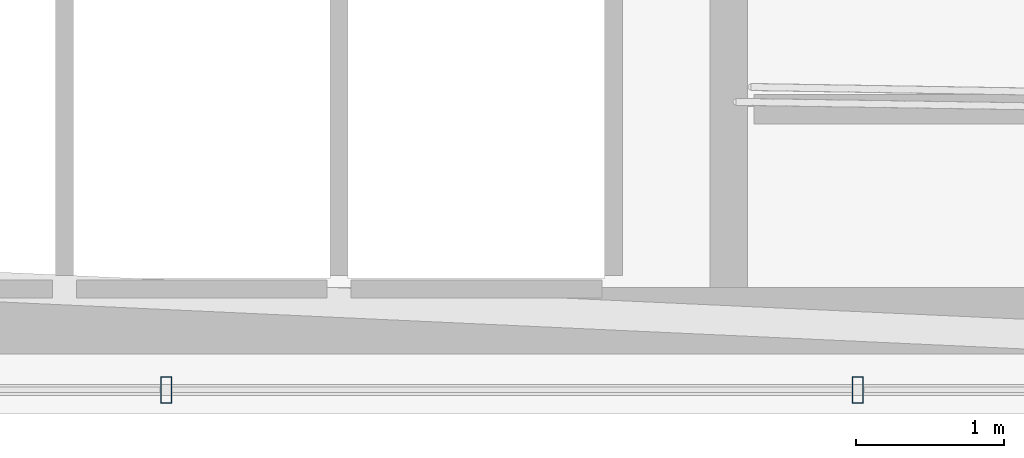
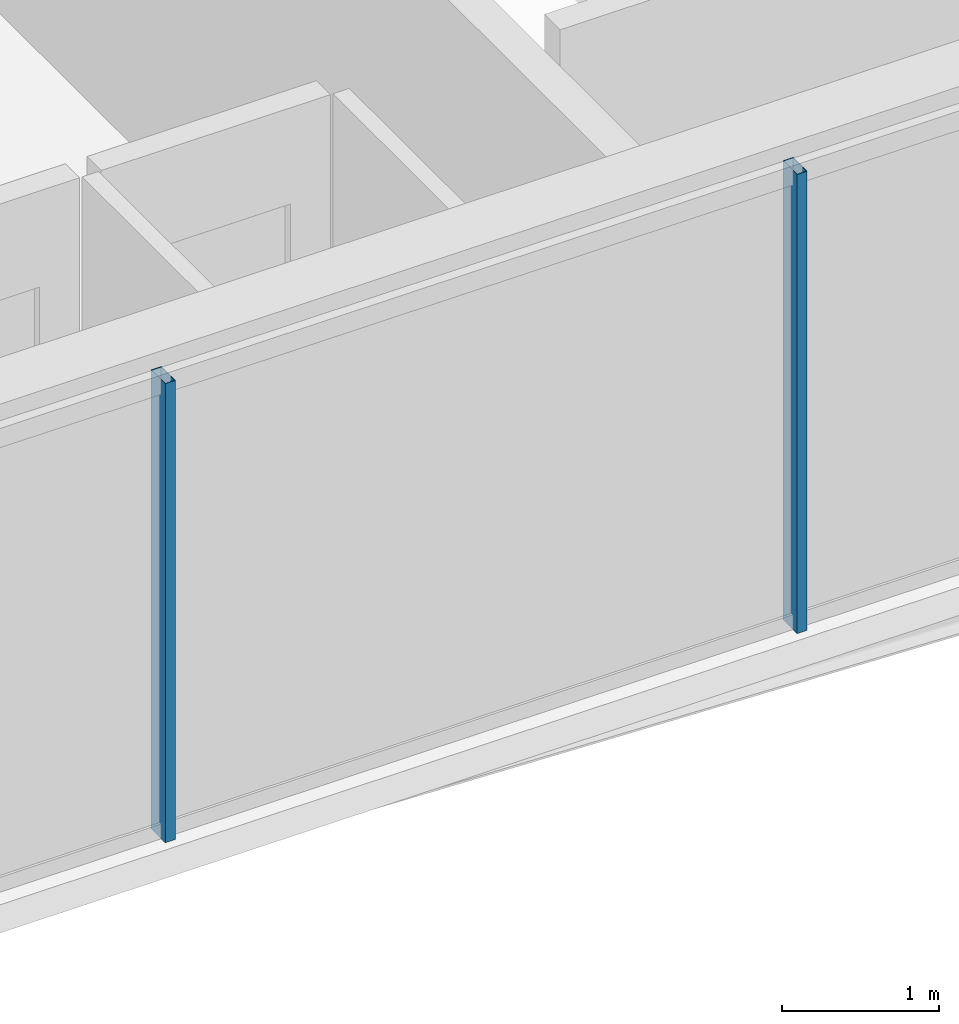
# One storey, part 7 of 33: 2 members, 1 element without a shape of its own.
"""IFC4 building model written with IfcOpenShell, lengths in metres."""

from ifc_helpers import new_model, si_unit, direction, frame, origin, origin_2d, place, context, subcontext, project, spatial, hollow_rectangle, extrude, material, layer, layer_set, material_profile, profile_set, type_object, element, aggregate, save


model = new_model("IFC4")

# Units and contexts
model_context = context("Model", 3, precision=1e-05, world=origin(), true_north=direction((0.0, 1.0)))
body_context = subcontext(model_context, "Body", "Model", "MODEL_VIEW")
ifc_project = project(units=[si_unit("LENGTHUNIT", "METRE"), si_unit("AREAUNIT", "SQUARE_METRE"), si_unit("VOLUMEUNIT", "CUBIC_METRE"), si_unit("PLANEANGLEUNIT", "RADIAN"), si_unit("MASSUNIT", "GRAM", prefix="KILO")], contexts=[model_context])

# Site, building, storey
site_placement = place(None, origin())
site = spatial("IfcSite", under=ifc_project, at=site_placement, CompositionType="ELEMENT")
building_placement = place(site_placement, origin())
building = spatial("IfcBuilding", under=site, at=building_placement, Name="Ndaravel Arena Tower", CompositionType="ELEMENT")
storey_placement = place(building_placement, frame((0.0, 0.0, 89.199951171875)))
storey = spatial("IfcBuildingStorey", under=building, at=storey_placement, Name="L20", CompositionType="ELEMENT", Elevation=89.199951171875)

# Curtain wall, members
ifc_material_1 = material(Name="Aluminium", Category="aluminium")
ifc_layer = layer(ifc_material_1, 0.179931640625)
ifc_layer_set = layer_set([ifc_layer], Name="Aluminium")
curtain_wall_type = type_object("IfcCurtainWallType", Name="CW-SYS-03", PredefinedType="NOTDEFINED", material=ifc_layer_set)
curtain_wall_placement = place(storey_placement, origin())
curtain_wall = element("IfcCurtainWall", 1, at=curtain_wall_placement, inside=storey, type_object=curtain_wall_type, Name="L20 Faceted Crystal Curtain Wall CW-L20-E01", PredefinedType="NOTDEFINED")
ifc_material_2 = material(Name="Aluminium", Category="aluminium")
ifc_material_profile = material_profile(ifc_material_2, hollow_rectangle(XDim=0.074951171875, YDim=0.179931640625, WallThickness=0.00390625, at=origin_2d()), Name="CW MULLION 75x180x4")
ifc_profile_set = profile_set([ifc_material_profile], Name="Aluminium")
member_type = type_object("IfcMemberType", Name="MEM-CW-MUL180", PredefinedType="MULLION", material=ifc_profile_set)
member_1_placement = place(storey_placement, frame((35.010498046875, 5.159912109375, 0.0), z_axis=(0.0, 0.0, 1.0), x_axis=(1.0, 0.0, 0.0)))
member_1 = element("IfcMember", 2, at=member_1_placement, type_object=member_type, Name="CW-L20-E01 Mullion 02", PredefinedType="MULLION", context=body_context, shape_type="SweptSolid", body=[
    extrude(hollow_rectangle(XDim=0.074951171875, YDim=0.179931640625, WallThickness=0.00390625, at=origin_2d()), origin(), (0.0, 0.0, 1.0), 3.580078125),
])
member_2_placement = place(storey_placement, frame((39.670166015625, 5.159912109375, 0.0), z_axis=(0.0, 0.0, 1.0), x_axis=(1.0, 0.0, 0.0)))
member_2 = element("IfcMember", 3, at=member_2_placement, type_object=member_type, Name="CW-L20-E01 Mullion 03", PredefinedType="MULLION", context=body_context, shape_type="SweptSolid", body=[
    extrude(hollow_rectangle(XDim=0.074951171875, YDim=0.179931640625, WallThickness=0.00390625, at=origin_2d()), origin(), (0.0, 0.0, 1.0), 3.580078125),
])
aggregate(curtain_wall, [member_1, member_2])

save(model, "model.ifc")
